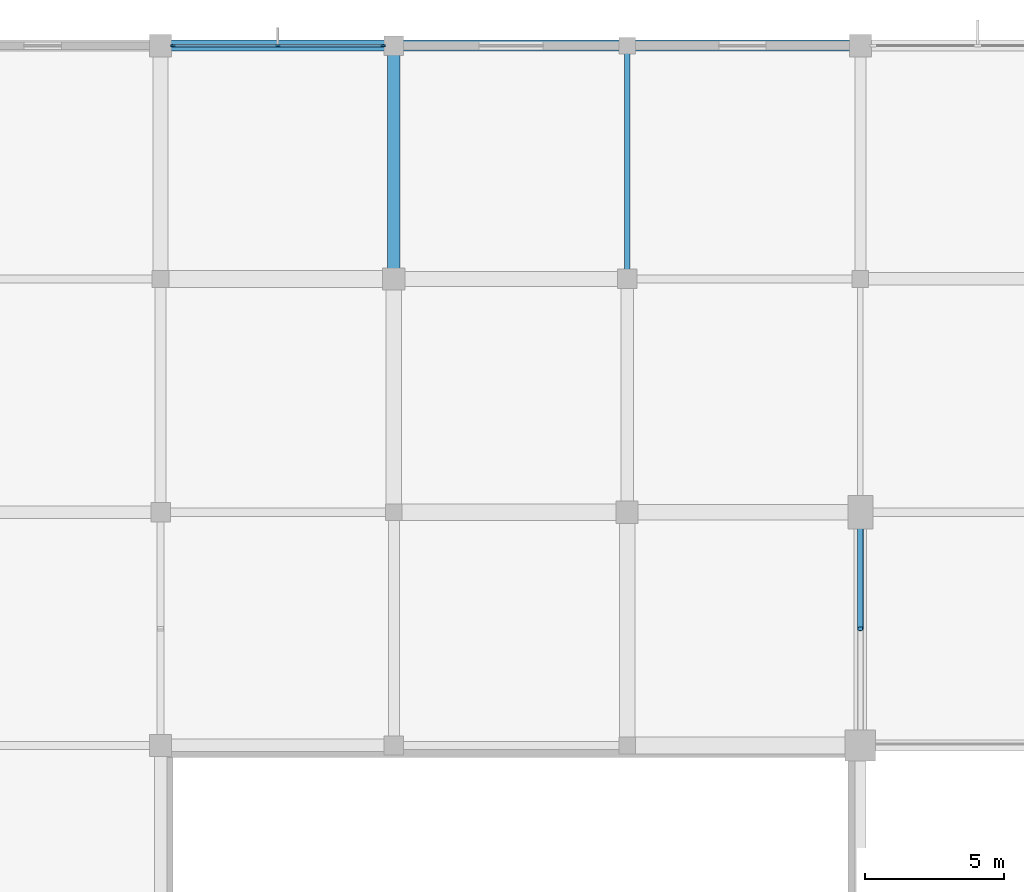
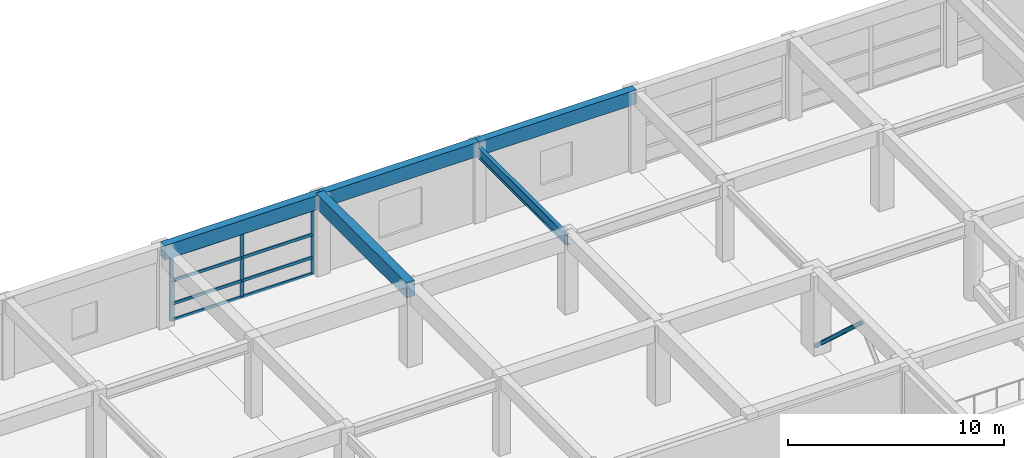
# One storey, part 29 of 62: 12 members, 5 beams, 1 element without a shape of its own.
"""IFC4 building model written with IfcOpenShell, lengths in metres."""

from ifc_helpers import new_model, si_unit, direction, frame, origin, origin_2d, place, context, subcontext, project, spatial, rectangle, hollow_circle, i_section, extrude, material, material_profile, profile_set, type_object, element, aggregate, save


model = new_model("IFC4")

# Units and contexts
model_context = context("Model", 3, precision=1e-05, world=origin(), true_north=direction((0.0, 1.0)))
body_context = subcontext(model_context, "Body", "Model", "MODEL_VIEW")
ifc_project = project(units=[si_unit("LENGTHUNIT", "METRE"), si_unit("AREAUNIT", "SQUARE_METRE"), si_unit("VOLUMEUNIT", "CUBIC_METRE"), si_unit("PLANEANGLEUNIT", "RADIAN"), si_unit("MASSUNIT", "GRAM", prefix="KILO")], contexts=[model_context])

# Site, building, storey
site_placement = place(None, origin())
site = spatial("IfcSite", under=ifc_project, at=site_placement, CompositionType="ELEMENT")
building_placement = place(site_placement, origin())
building = spatial("IfcBuilding", under=site, at=building_placement, Name="Xuanlan Plaza Opera House", CompositionType="ELEMENT")
storey_placement = place(building_placement, frame((0.0, 0.0, 14.39990234375)))
storey = spatial("IfcBuildingStorey", under=building, at=storey_placement, Name="L03", CompositionType="ELEMENT", Elevation=14.39990234375)

# Curtain wall, members
ifc_material_1 = material(Name="Anodised Aluminium 6063-T6 and Low-E Glass", Category="aluminium")
curtain_wall_type = type_object("IfcCurtainWallType", Name="ENV-CW-CW-03", PredefinedType="USERDEFINED", material=ifc_material_1)
curtain_wall_placement = place(storey_placement, origin())
curtain_wall = element("IfcCurtainWall", 1, at=curtain_wall_placement, inside=storey, type_object=curtain_wall_type, Name="Unitised Curtain Wall L03-042", ObjectType="UNITISED CURTAIN WALL", PredefinedType="USERDEFINED")
ifc_material_2 = material(Name="Anodised Aluminium 6063-T6", Category="aluminium")
ifc_material_profile_1 = material_profile(ifc_material_2, rectangle(XDim=0.070068359375, YDim=0.179931640625, at=origin_2d()), Name="ALU-M 70x180")
ifc_profile_set_1 = profile_set([ifc_material_profile_1], Name="Anodised Aluminium 6063-T6")
member_type_1 = type_object("IfcMemberType", Name="ENV-CWM-02", PredefinedType="MULLION", material=ifc_profile_set_1)
member_1_placement = place(storey_placement, frame((49.9951171875, 100.800048828125, 0.0), z_axis=(0.0, 0.0, 1.0), x_axis=(0.0, -1.0, 0.0)))
member_1 = element("IfcMember", 2, at=member_1_placement, type_object=member_type_1, Name="CW-03 mullion 1", PredefinedType="MULLION", context=body_context, shape_type="SweptSolid", body=[
    extrude(rectangle(XDim=0.070068359375, YDim=0.179931640625, at=origin_2d()), origin(), (0.0, 0.0, 1.0), 3.68017578125),
])
member_2_placement = place(storey_placement, frame((46.22509765625, 100.800048828125, 0.0), z_axis=(0.0, 0.0, 1.0), x_axis=(0.0, -1.0, 0.0)))
member_2 = element("IfcMember", 3, at=member_2_placement, type_object=member_type_1, Name="CW-03 mullion 2", PredefinedType="MULLION", context=body_context, shape_type="SweptSolid", body=[
    extrude(rectangle(XDim=0.070068359375, YDim=0.179931640625, at=origin_2d()), origin(), (0.0, 0.0, 1.0), 3.68017578125),
])
member_3_placement = place(storey_placement, frame((42.455078125, 100.800048828125, 0.0), z_axis=(0.0, 0.0, 1.0), x_axis=(0.0, -1.0, 0.0)))
member_3 = element("IfcMember", 4, at=member_3_placement, type_object=member_type_1, Name="CW-03 mullion 3", PredefinedType="MULLION", context=body_context, shape_type="SweptSolid", body=[
    extrude(rectangle(XDim=0.070068359375, YDim=0.179931640625, at=origin_2d()), origin(), (0.0, 0.0, 1.0), 3.68017578125),
])
ifc_material_profile_2 = material_profile(ifc_material_2, rectangle(XDim=0.080078125, YDim=0.1650390625, at=origin_2d()), Name="ALU-T 80x165")
ifc_profile_set_2 = profile_set([ifc_material_profile_2], Name="Anodised Aluminium 6063-T6")
member_type_2 = type_object("IfcMemberType", Name="ENV-CWT-04", PredefinedType="USERDEFINED", material=ifc_profile_set_2)
member_4_placement = place(storey_placement, frame((49.9599609375, 100.800048828125, 0.0400390625), z_axis=(-1.0, 0.0, 0.0), x_axis=(0.0, -1.0, 0.0)))
member_4 = element("IfcMember", 5, at=member_4_placement, type_object=member_type_2, Name="CW-03 transom 1.1", ObjectType="TRANSOM", PredefinedType="USERDEFINED", context=body_context, shape_type="SweptSolid", body=[
    extrude(rectangle(XDim=0.080078125, YDim=0.1650390625, at=origin_2d()), origin(), (0.0, 0.0, 1.0), 3.699951171875),
])
member_5_placement = place(storey_placement, frame((49.9599609375, 100.800048828125, 0.9501953125), z_axis=(-1.0, 0.0, 0.0), x_axis=(0.0, -1.0, 0.0)))
member_5 = element("IfcMember", 6, at=member_5_placement, type_object=member_type_2, Name="CW-03 transom 1.2", ObjectType="TRANSOM", PredefinedType="USERDEFINED", context=body_context, shape_type="SweptSolid", body=[
    extrude(rectangle(XDim=0.080078125, YDim=0.1650390625, at=origin_2d()), origin(), (0.0, 0.0, 1.0), 3.699951171875),
])
member_6_placement = place(storey_placement, frame((49.9599609375, 100.800048828125, 2.25), z_axis=(-1.0, 0.0, 0.0), x_axis=(0.0, -1.0, 0.0)))
member_6 = element("IfcMember", 7, at=member_6_placement, type_object=member_type_2, Name="CW-03 transom 1.3", ObjectType="TRANSOM", PredefinedType="USERDEFINED", context=body_context, shape_type="SweptSolid", body=[
    extrude(rectangle(XDim=0.080078125, YDim=0.1650390625, at=origin_2d()), origin(), (0.0, 0.0, 1.0), 3.699951171875),
])
member_7_placement = place(storey_placement, frame((49.9599609375, 100.800048828125, 3.64013671875), z_axis=(-1.0, 0.0, 0.0), x_axis=(0.0, -1.0, 0.0)))
member_7 = element("IfcMember", 8, at=member_7_placement, type_object=member_type_2, Name="CW-03 transom 1.4", ObjectType="TRANSOM", PredefinedType="USERDEFINED", context=body_context, shape_type="SweptSolid", body=[
    extrude(rectangle(XDim=0.080078125, YDim=0.1650390625, at=origin_2d()), origin(), (0.0, 0.0, 1.0), 3.699951171875),
])
member_8_placement = place(storey_placement, frame((46.18994140625, 100.800048828125, 0.0400390625), z_axis=(-1.0, 0.0, 0.0), x_axis=(0.0, -1.0, 0.0)))
member_8 = element("IfcMember", 9, at=member_8_placement, type_object=member_type_2, Name="CW-03 transom 2.1", ObjectType="TRANSOM", PredefinedType="USERDEFINED", context=body_context, shape_type="SweptSolid", body=[
    extrude(rectangle(XDim=0.080078125, YDim=0.1650390625, at=origin_2d()), origin(), (0.0, 0.0, 1.0), 3.699951171875),
])
member_9_placement = place(storey_placement, frame((46.18994140625, 100.800048828125, 0.9501953125), z_axis=(-1.0, 0.0, 0.0), x_axis=(0.0, -1.0, 0.0)))
member_9 = element("IfcMember", 10, at=member_9_placement, type_object=member_type_2, Name="CW-03 transom 2.2", ObjectType="TRANSOM", PredefinedType="USERDEFINED", context=body_context, shape_type="SweptSolid", body=[
    extrude(rectangle(XDim=0.080078125, YDim=0.1650390625, at=origin_2d()), origin(), (0.0, 0.0, 1.0), 3.699951171875),
])
member_10_placement = place(storey_placement, frame((46.18994140625, 100.800048828125, 2.25), z_axis=(-1.0, 0.0, 0.0), x_axis=(0.0, -1.0, 0.0)))
member_10 = element("IfcMember", 11, at=member_10_placement, type_object=member_type_2, Name="CW-03 transom 2.3", ObjectType="TRANSOM", PredefinedType="USERDEFINED", context=body_context, shape_type="SweptSolid", body=[
    extrude(rectangle(XDim=0.080078125, YDim=0.1650390625, at=origin_2d()), origin(), (0.0, 0.0, 1.0), 3.699951171875),
])
member_11_placement = place(storey_placement, frame((46.18994140625, 100.800048828125, 3.64013671875), z_axis=(-1.0, 0.0, 0.0), x_axis=(0.0, -1.0, 0.0)))
member_11 = element("IfcMember", 12, at=member_11_placement, type_object=member_type_2, Name="CW-03 transom 2.4", ObjectType="TRANSOM", PredefinedType="USERDEFINED", context=body_context, shape_type="SweptSolid", body=[
    extrude(rectangle(XDim=0.080078125, YDim=0.1650390625, at=origin_2d()), origin(), (0.0, 0.0, 1.0), 3.699951171875),
])
aggregate(curtain_wall, [member_1, member_2, member_3, member_4, member_5, member_6, member_7, member_8, member_9, member_10, member_11])

# Beams
ifc_material_3 = material(Name="Concrete C40", Category="concrete")
ifc_material_profile_3 = material_profile(ifc_material_3, rectangle(XDim=0.449951171875, YDim=0.85009765625, at=origin_2d()), Name="RC-BM 450x850")
ifc_profile_set_3 = profile_set([ifc_material_profile_3], Name="Concrete C40")
beam_type_1 = type_object("IfcBeamType", Name="STR-BM-B-04", PredefinedType="BEAM", material=ifc_profile_set_3)
beam_1_placement = place(storey_placement, frame((50.39990234375, 92.39990234375, 4.0751953125), z_axis=(0.0, 1.0, 0.0), x_axis=(-1.0, 0.0, 0.0)))
element("IfcBeam", 13, at=beam_1_placement, inside=storey, type_object=beam_type_1, Name="Grid Beam Y L03 7/L-M", PredefinedType="BEAM", context=body_context, shape_type="SweptSolid", body=[
    extrude(rectangle(XDim=0.449951171875, YDim=0.85009765625, at=origin_2d()), origin(), (0.0, 0.0, 1.0), 8.400146484375),
])
ifc_material_4 = material(Name="Steel Q355B", Category="steel")
ifc_material_profile_4 = material_profile(ifc_material_4, i_section(OverallWidth=0.199951171875, OverallDepth=0.60009765625, WebThickness=0.010986328125, FlangeThickness=0.01708984375, FilletRadius=0.02197265625, at=origin_2d()), Name="HN 600x200x11x17")
ifc_profile_set_4 = profile_set([ifc_material_profile_4], Name="Steel Q355B")
beam_type_2 = type_object("IfcBeamType", Name="STR-BM-SB-04", PredefinedType="BEAM", material=ifc_profile_set_4)
beam_2_placement = place(storey_placement, frame((58.800048828125, 92.39990234375, 3.93505859375), z_axis=(0.0, 1.0, 0.0), x_axis=(-1.0, 0.0, 0.0)))
element("IfcBeam", 14, at=beam_2_placement, inside=storey, type_object=beam_type_2, Name="Grid Beam Y L03 8/L-M", PredefinedType="BEAM", context=body_context, shape_type="SweptSolid", body=[
    extrude(i_section(OverallWidth=0.199951171875, OverallDepth=0.60009765625, WebThickness=0.010986328125, FlangeThickness=0.01708984375, FilletRadius=0.02197265625, at=origin_2d()), origin(), (0.0, 0.0, 1.0), 8.400146484375),
])
ifc_material_profile_5 = material_profile(ifc_material_3, rectangle(XDim=0.39990234375, YDim=0.800048828125, at=origin_2d()), Name="RC-SPD 400x800")
ifc_profile_set_5 = profile_set([ifc_material_profile_5], Name="Concrete C40")
beam_type_3 = type_object("IfcBeamType", Name="STR-BM-SP-01", PredefinedType="SPANDREL", material=ifc_profile_set_5)
beam_3_placement = place(storey_placement, frame((42.0, 100.800048828125, 4.10009765625), z_axis=(1.0, 0.0, 0.0), x_axis=(0.0, 1.0, 0.0)))
element("IfcBeam", 15, at=beam_3_placement, inside=storey, type_object=beam_type_3, Name="Grid Beam X L03 6-7/M", PredefinedType="SPANDREL", context=body_context, shape_type="SweptSolid", body=[
    extrude(rectangle(XDim=0.39990234375, YDim=0.800048828125, at=origin_2d()), origin(), (0.0, 0.0, 1.0), 8.39990234375),
])
beam_4_placement = place(storey_placement, frame((50.39990234375, 100.800048828125, 4.10009765625), z_axis=(1.0, 0.0, 0.0), x_axis=(0.0, 1.0, 0.0)))
element("IfcBeam", 16, at=beam_4_placement, inside=storey, type_object=beam_type_3, Name="Grid Beam X L03 7-8/M", PredefinedType="SPANDREL", context=body_context, shape_type="SweptSolid", body=[
    extrude(rectangle(XDim=0.39990234375, YDim=0.800048828125, at=origin_2d()), origin(), (0.0, 0.0, 1.0), 8.400146484375),
])
beam_5_placement = place(storey_placement, frame((58.800048828125, 100.800048828125, 4.10009765625), z_axis=(1.0, 0.0, 0.0), x_axis=(0.0, 1.0, 0.0)))
element("IfcBeam", 17, at=beam_5_placement, inside=storey, type_object=beam_type_3, Name="Grid Beam X L03 8-9/M", PredefinedType="SPANDREL", context=body_context, shape_type="SweptSolid", body=[
    extrude(rectangle(XDim=0.39990234375, YDim=0.800048828125, at=origin_2d()), origin(), (0.0, 0.0, 1.0), 8.39990234375),
])

# Member
ifc_material_profile_6 = material_profile(ifc_material_4, hollow_circle(Radius=0.109619140625, WallThickness=0.010009765625, at=origin_2d()), Name="CHS 219.1x10")
ifc_profile_set_6 = profile_set([ifc_material_profile_6], Name="Steel Q355B")
member_type_3 = type_object("IfcMemberType", Name="STR-MEM-BR-05", PredefinedType="BRACE", material=ifc_profile_set_6)
member_12_placement = place(storey_placement, frame((67.199951171875, 84.0, 0.10009765625), z_axis=(0.0, -0.737141689437, 0.675738210918), x_axis=(1.0, 0.0, 0.0)))
element("IfcMember", 18, at=member_12_placement, inside=storey, type_object=member_type_3, Name="Stage Lateral Chevron Brace L03-3B", PredefinedType="BRACE", context=body_context, shape_type="SweptSolid", body=[
    extrude(hollow_circle(Radius=0.109619140625, WallThickness=0.010009765625, at=origin_2d()), origin(), (0.0, 0.0, 1.0), 5.697509765625),
])

save(model, "model.ifc")
